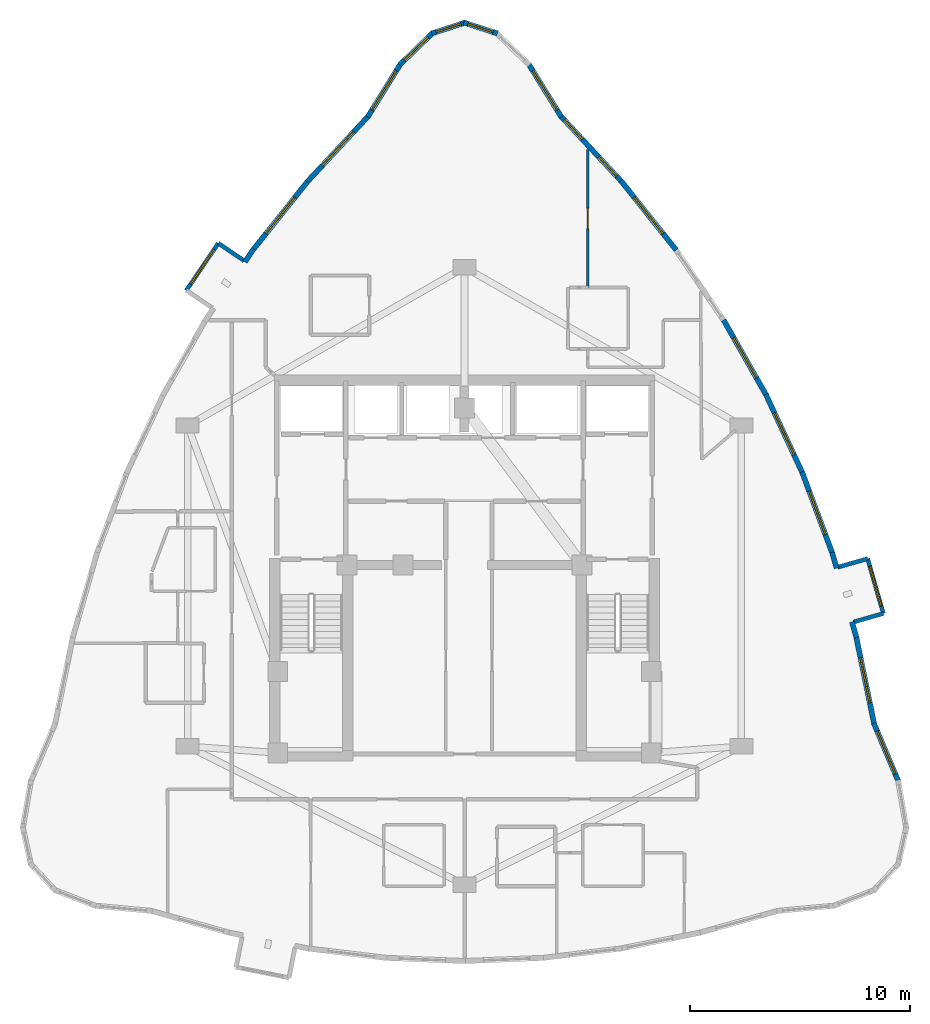
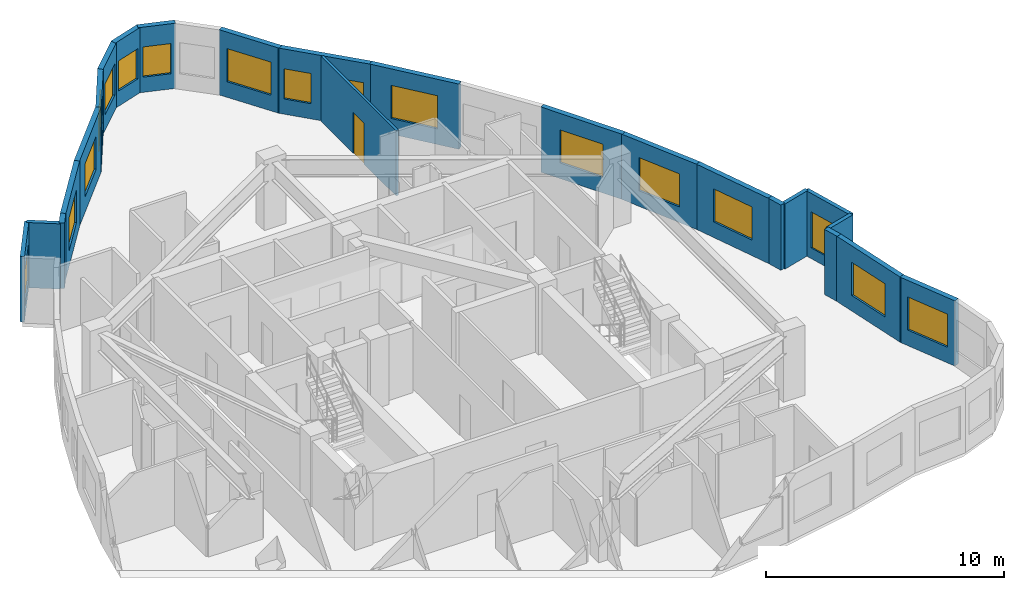
# One storey, part 11 of 13: 23 walls, 17 windows, 1 door, 18 openings.
"""IFC4 building model written with IfcOpenShell, lengths in metres."""

from ifc_helpers import new_model, si_unit, direction, frame, frame_2d, origin, place, context, subcontext, project, spatial, rectangle, extrude, material, layer, layer_set, type_object, element, fill, save


model = new_model("IFC4")

# Units and contexts
model_context = context("Model", 3, precision=1e-05, world=origin(), true_north=direction((0.0, 1.0)))
body_context = subcontext(model_context, "Body", "Model", "MODEL_VIEW")
ifc_project = project(units=[si_unit("LENGTHUNIT", "METRE"), si_unit("AREAUNIT", "SQUARE_METRE"), si_unit("VOLUMEUNIT", "CUBIC_METRE"), si_unit("PLANEANGLEUNIT", "RADIAN"), si_unit("MASSUNIT", "GRAM", prefix="KILO")], contexts=[model_context])

# Site, building, storey
site_placement = place(None, origin())
site = spatial("IfcSite", under=ifc_project, at=site_placement, CompositionType="ELEMENT")
building_placement = place(site_placement, origin())
building = spatial("IfcBuilding", under=site, at=building_placement, Name="Miruveldt Soraemaru", CompositionType="ELEMENT")
storey_placement = place(building_placement, frame((0.0, 0.0, 198.0)))
storey = spatial("IfcBuildingStorey", under=building, at=storey_placement, Name="L54", CompositionType="ELEMENT", Elevation=198.0)

# Wall
ifc_material_1 = material(Name="White powder-coated aluminium EN AW-6060 T6", Category="aluminium")
ifc_layer_1 = layer(ifc_material_1, 0.18994140625, Name="White powder-coated aluminium EN AW-6060 T6", Category="aluminium")
ifc_layer_set_1 = layer_set([ifc_layer_1], Name="White powder-coated aluminium EN AW-6060 T6")
wall_type_1 = type_object("IfcWallType", Name="WALL-BAY-ALU190", PredefinedType="SOLIDWALL", material=ifc_layer_set_1)
wall_1_placement = place(storey_placement, frame((33.971435546875, 57.900146484375, 0.0), z_axis=(0.0, 0.0, 1.0), x_axis=(-0.827916124573, 0.56085193293, 0.0)))
element("IfcWall", 1, at=wall_1_placement, inside=storey, type_object=wall_type_1, Name="L54 Bay Window Side Cheek 1L", PredefinedType="SOLIDWALL", context=body_context, shape_type="SweptSolid", body=[
    extrude(rectangle(XDim=1.42529296875, YDim=0.18994140625, at=frame_2d((0.712646484375, 0.0))), origin(), (0.0, 0.0, 1.0), 3.344970703125),
])

# Wall, opening, window
wall_2_placement = place(storey_placement, frame((32.79150390625, 58.699462890625, 0.0), z_axis=(0.0, 0.0, 1.0), x_axis=(-0.560839839126, -0.827924317102, 0.0)))
wall_2 = element("IfcWall", 2, at=wall_2_placement, inside=storey, type_object=wall_type_1, Name="L54 Bay Window Front Frame 1", PredefinedType="SOLIDWALL", context=body_context, shape_type="SweptSolid", body=[
    extrude(rectangle(XDim=2.599609375, YDim=0.18994140625, at=frame_2d((1.2998046875, 0.0))), origin(), (0.0, 0.0, 1.0), 3.344970703125),
])
opening_1_placement = place(wall_2_placement, frame((0.35009765625, 0.0, 0.550048828125)))
opening_1 = element("IfcOpeningElement", 3, at=opening_1_placement, cuts=wall_2, Name="Opening WN-6", PredefinedType="OPENING", context=body_context, shape_type="SweptSolid", body=[
    extrude(rectangle(XDim=1.89990234375, YDim=1.85009765625, at=frame_2d((0.949951171875, 0.925048828125))), frame((0.0, 0.10498046875, 0.0), z_axis=(0.0, -1.0, 0.0), x_axis=(1.0, 0.0, 0.0)), (0.0, 0.0, 1.0), 0.2099609375),
])
ifc_material_2 = material(Name="Triple low-e insulated glazing", Category="glass")
window_type_1 = type_object("IfcWindowType", Name="WIN-BAYW-1900x1850", PartitioningType="SINGLE_PANEL", PredefinedType="WINDOW", material=ifc_material_2)
window_1_placement = place(opening_1_placement, origin())
window_1 = element("IfcWindow", 4, at=window_1_placement, inside=storey, type_object=window_type_1, Name="L54 Projecting Bay Window 1", OverallHeight=1.85009765625, OverallWidth=1.89990234375, PartitioningType="SINGLE_PANEL", PredefinedType="WINDOW", context=body_context, shape_type="SweptSolid", body=[
    extrude(rectangle(XDim=1.89990234375, YDim=1.85009765625, at=frame_2d((0.949951171875, 0.925048828125))), frame((0.0, 0.030029296875, 0.0), z_axis=(0.0, -1.0, 0.0), x_axis=(1.0, 0.0, 0.0)), (0.0, 0.0, 1.0), 0.06005859375),
])
fill(opening_1, window_1)

# Walls
wall_3_placement = place(storey_placement, frame((61.69482421875, 41.451416015625, 0.0), z_axis=(0.0, 0.0, 1.0), x_axis=(0.961439844578, 0.275015318223, 0.0)))
element("IfcWall", 5, at=wall_3_placement, inside=storey, type_object=wall_type_1, Name="L54 Bay Window Side Cheek 3L", PredefinedType="SOLIDWALL", context=body_context, shape_type="SweptSolid", body=[
    extrude(rectangle(XDim=1.4248046875, YDim=0.18994140625, at=frame_2d((0.71240234375, 0.0))), origin(), (0.0, 0.0, 1.0), 3.344970703125),
])
wall_4_placement = place(storey_placement, frame((62.349853515625, 44.343017578125, 0.0), z_axis=(0.0, 0.0, 1.0), x_axis=(-0.961452801096, -0.274970018845, 0.0)))
element("IfcWall", 6, at=wall_4_placement, inside=storey, type_object=wall_type_1, Name="L54 Bay Window Side Cheek 3R", PredefinedType="SOLIDWALL", context=body_context, shape_type="SweptSolid", body=[
    extrude(rectangle(XDim=1.425048828125, YDim=0.18994140625, at=frame_2d((0.71240234375, 0.0))), origin(), (0.0, 0.0, 1.0), 3.344970703125),
])

# Wall, opening, window
wall_5_placement = place(storey_placement, frame((63.064697265625, 41.84326171875, 0.0), z_axis=(0.0, 0.0, 1.0), x_axis=(-0.274944358644, 0.961460139397, 0.0)))
wall_5 = element("IfcWall", 7, at=wall_5_placement, inside=storey, type_object=wall_type_1, Name="L54 Bay Window Front Frame 3", PredefinedType="SOLIDWALL", context=body_context, shape_type="SweptSolid", body=[
    extrude(rectangle(XDim=2.599853515625, YDim=0.18994140625, at=frame_2d((1.2998046875, 0.0))), origin(), (0.0, 0.0, 1.0), 3.344970703125),
])
opening_2_placement = place(wall_5_placement, frame((0.35009765625, 0.0, 0.550048828125)))
opening_2 = element("IfcOpeningElement", 8, at=opening_2_placement, cuts=wall_5, Name="Opening WN-6", PredefinedType="OPENING", context=body_context, shape_type="SweptSolid", body=[
    extrude(rectangle(XDim=1.89990234375, YDim=1.85009765625, at=frame_2d((0.949951171875, 0.925048828125))), frame((0.0, 0.10498046875, 0.0), z_axis=(0.0, -1.0, 0.0), x_axis=(1.0, 0.0, 0.0)), (0.0, 0.0, 1.0), 0.2099609375),
])
window_2_placement = place(opening_2_placement, origin())
window_2 = element("IfcWindow", 9, at=window_2_placement, inside=storey, type_object=window_type_1, Name="L54 Projecting Bay Window 3", OverallHeight=1.85009765625, OverallWidth=1.89990234375, PartitioningType="SINGLE_PANEL", PredefinedType="WINDOW", context=body_context, shape_type="SweptSolid", body=[
    extrude(rectangle(XDim=1.89990234375, YDim=1.85009765625, at=frame_2d((0.949951171875, 0.925048828125))), frame((0.0, 0.030029296875, 0.0), z_axis=(0.0, -1.0, 0.0), x_axis=(1.0, 0.0, 0.0)), (0.0, 0.0, 1.0), 0.06005859375),
])
fill(opening_2, window_2)

ifc_material_3 = material(Name="Precast concrete C45/55 (45 MPa)", Category="concrete")
ifc_layer_2 = layer(ifc_material_3, 0.239990234375, Name="Precast concrete C45/55 (45 MPa)", Category="concrete")
ifc_layer_set_2 = layer_set([ifc_layer_2], Name="Precast concrete C45/55 (45 MPa)")
wall_type_2 = type_object("IfcWallType", Name="WALL-EXT-PC240", PredefinedType="SOLIDWALL", material=ifc_layer_set_2)
wall_6_placement = place(storey_placement, frame((48.411376953125, 64.440185546875, 0.0), z_axis=(0.0, 0.0, 1.0), x_axis=(-0.526024676953, 0.850469305288, 0.0)))
wall_6 = element("IfcWall", 10, at=wall_6_placement, inside=storey, type_object=wall_type_2, Name="L54 Precast Concrete Facade Wall 1", PredefinedType="SOLIDWALL", context=body_context, shape_type="SweptSolid", body=[
    extrude(rectangle(XDim=2.853515625, YDim=0.239990234375, at=frame_2d((1.4267578125, 0.0))), origin(), (0.0, 0.0, 1.0), 3.344970703125),
])
opening_3_placement = place(wall_6_placement, frame((0.376953125, 0.0, 0.800048828125)))
opening_3 = element("IfcOpeningElement", 11, at=opening_3_placement, cuts=wall_6, Name="Opening WN-1", PredefinedType="OPENING", context=body_context, shape_type="SweptSolid", body=[
    extrude(rectangle(XDim=2.10009765625, YDim=1.699951171875, at=frame_2d((1.050048828125, 0.85009765625))), frame((0.0, 0.1298828125, 0.0), z_axis=(0.0, -1.0, 0.0), x_axis=(1.0, 0.0, 0.0)), (0.0, 0.0, 1.0), 0.260009765625),
])
window_type_2 = type_object("IfcWindowType", Name="WIN-PUNCH-2100x1700", PartitioningType="SINGLE_PANEL", PredefinedType="WINDOW", material=ifc_material_2)
window_3_placement = place(opening_3_placement, origin())
window_3 = element("IfcWindow", 12, at=window_3_placement, inside=storey, type_object=window_type_2, Name="L54 Punched Triple-Glazed Window 01.1", OverallHeight=1.699951171875, OverallWidth=2.10009765625, PartitioningType="SINGLE_PANEL", PredefinedType="WINDOW", context=body_context, shape_type="SweptSolid", body=[
    extrude(rectangle(XDim=2.10009765625, YDim=1.699951171875, at=frame_2d((1.050048828125, 0.85009765625))), frame((0.0, 0.030029296875, 0.0), z_axis=(0.0, -1.0, 0.0), x_axis=(1.0, 0.0, 0.0)), (0.0, 0.0, 1.0), 0.06005859375),
])
fill(opening_3, window_3)

wall_7_placement = place(storey_placement, frame((45.49755859375, 68.246826171875, 0.0), z_axis=(0.0, 0.0, 1.0), x_axis=(-0.951512470803, 0.307610171981, 0.0)))
wall_7 = element("IfcWall", 13, at=wall_7_placement, inside=storey, type_object=wall_type_2, Name="L54 Precast Concrete Facade Wall 3", PredefinedType="SOLIDWALL", context=body_context, shape_type="SweptSolid", body=[
    extrude(rectangle(XDim=1.60888671875, YDim=0.239990234375, at=frame_2d((0.804443359375, 0.0))), origin(), (0.0, 0.0, 1.0), 3.344970703125),
])
opening_4_placement = place(wall_7_placement, frame((0.205078125, 0.0, 0.780029296875)))
opening_4 = element("IfcOpeningElement", 14, at=opening_4_placement, cuts=wall_7, Name="Opening WN-4", PredefinedType="OPENING", context=body_context, shape_type="SweptSolid", body=[
    extrude(rectangle(XDim=1.199951171875, YDim=1.550048828125, at=frame_2d((0.60009765625, 0.77490234375))), frame((0.0, 0.1298828125, 0.0), z_axis=(0.0, -1.0, 0.0), x_axis=(1.0, 0.0, 0.0)), (0.0, 0.0, 1.0), 0.260009765625),
])
window_type_3 = type_object("IfcWindowType", Name="WIN-PUNCH-1200x1550", PartitioningType="SINGLE_PANEL", PredefinedType="WINDOW", material=ifc_material_2)
window_4_placement = place(opening_4_placement, origin())
window_4 = element("IfcWindow", 15, at=window_4_placement, inside=storey, type_object=window_type_3, Name="L54 Punched Triple-Glazed Window 03.1", OverallHeight=1.550048828125, OverallWidth=1.199951171875, PartitioningType="SINGLE_PANEL", PredefinedType="WINDOW", context=body_context, shape_type="SweptSolid", body=[
    extrude(rectangle(XDim=1.199951171875, YDim=1.550048828125, at=frame_2d((0.60009765625, 0.77490234375))), frame((0.0, 0.030029296875, 0.0), z_axis=(0.0, -1.0, 0.0), x_axis=(1.0, 0.0, 0.0)), (0.0, 0.0, 1.0), 0.06005859375),
])
fill(opening_4, window_4)

wall_8_placement = place(storey_placement, frame((44.033203125, 68.74169921875, 0.0), z_axis=(0.0, 0.0, 1.0), x_axis=(-0.951512470803, -0.307610171981, 0.0)))
wall_8 = element("IfcWall", 16, at=wall_8_placement, inside=storey, type_object=wall_type_2, Name="L54 Precast Concrete Facade Wall 4", PredefinedType="SOLIDWALL", context=body_context, shape_type="SweptSolid", body=[
    extrude(rectangle(XDim=1.60888671875, YDim=0.239990234375, at=frame_2d((0.804443359375, 0.0))), origin(), (0.0, 0.0, 1.0), 3.344970703125),
])
opening_5_placement = place(wall_8_placement, frame((0.205078125, 0.0, 0.780029296875)))
opening_5 = element("IfcOpeningElement", 17, at=opening_5_placement, cuts=wall_8, Name="Opening WN-4", PredefinedType="OPENING", context=body_context, shape_type="SweptSolid", body=[
    extrude(rectangle(XDim=1.199951171875, YDim=1.550048828125, at=frame_2d((0.60009765625, 0.77490234375))), frame((0.0, 0.1298828125, 0.0), z_axis=(0.0, -1.0, 0.0), x_axis=(1.0, 0.0, 0.0)), (0.0, 0.0, 1.0), 0.260009765625),
])
window_5_placement = place(opening_5_placement, origin())
window_5 = element("IfcWindow", 18, at=window_5_placement, inside=storey, type_object=window_type_3, Name="L54 Punched Triple-Glazed Window 04.1", OverallHeight=1.550048828125, OverallWidth=1.199951171875, PartitioningType="SINGLE_PANEL", PredefinedType="WINDOW", context=body_context, shape_type="SweptSolid", body=[
    extrude(rectangle(XDim=1.199951171875, YDim=1.550048828125, at=frame_2d((0.60009765625, 0.77490234375))), frame((0.0, 0.030029296875, 0.0), z_axis=(0.0, -1.0, 0.0), x_axis=(1.0, 0.0, 0.0)), (0.0, 0.0, 1.0), 0.06005859375),
])
fill(opening_5, window_5)

wall_9_placement = place(storey_placement, frame((42.560791015625, 68.281982421875, 0.0), z_axis=(0.0, 0.0, 1.0), x_axis=(-0.717784741211, -0.696265082626, 0.0)))
wall_9 = element("IfcWall", 19, at=wall_9_placement, inside=storey, type_object=wall_type_2, Name="L54 Precast Concrete Facade Wall 5", PredefinedType="SOLIDWALL", context=body_context, shape_type="SweptSolid", body=[
    extrude(rectangle(XDim=2.110107421875, YDim=0.239990234375, at=frame_2d((1.05517578125, 0.0))), origin(), (0.0, 0.0, 1.0), 3.344970703125),
])
opening_6_placement = place(wall_9_placement, frame((0.304931640625, 0.0, 0.800048828125)))
opening_6 = element("IfcOpeningElement", 20, at=opening_6_placement, cuts=wall_9, Name="Opening WN-3", PredefinedType="OPENING", context=body_context, shape_type="SweptSolid", body=[
    extrude(rectangle(XDim=1.5, YDim=1.60009765625, at=frame_2d((0.75, 0.800048828125))), frame((0.0, 0.1298828125, 0.0), z_axis=(0.0, -1.0, 0.0), x_axis=(1.0, 0.0, 0.0)), (0.0, 0.0, 1.0), 0.260009765625),
])
window_type_4 = type_object("IfcWindowType", Name="WIN-PUNCH-1500x1600", PartitioningType="SINGLE_PANEL", PredefinedType="WINDOW", material=ifc_material_2)
window_6_placement = place(opening_6_placement, origin())
window_6 = element("IfcWindow", 21, at=window_6_placement, inside=storey, type_object=window_type_4, Name="L54 Punched Triple-Glazed Window 05.1", OverallHeight=1.60009765625, OverallWidth=1.5, PartitioningType="SINGLE_PANEL", PredefinedType="WINDOW", context=body_context, shape_type="SweptSolid", body=[
    extrude(rectangle(XDim=1.5, YDim=1.60009765625, at=frame_2d((0.75, 0.800048828125))), frame((0.0, 0.030029296875, 0.0), z_axis=(0.0, -1.0, 0.0), x_axis=(1.0, 0.0, 0.0)), (0.0, 0.0, 1.0), 0.06005859375),
])
fill(opening_6, window_6)

wall_10_placement = place(storey_placement, frame((41.089599609375, 66.866943359375, 0.0), z_axis=(0.0, 0.0, 1.0), x_axis=(-0.526024676953, -0.850469305288, 0.0)))
wall_10 = element("IfcWall", 22, at=wall_10_placement, inside=storey, type_object=wall_type_2, Name="L54 Precast Concrete Facade Wall 6", PredefinedType="SOLIDWALL", context=body_context, shape_type="SweptSolid", body=[
    extrude(rectangle(XDim=2.853515625, YDim=0.239990234375, at=frame_2d((1.4267578125, 0.0))), origin(), (0.0, 0.0, 1.0), 3.344970703125),
])
opening_7_placement = place(wall_10_placement, frame((0.376953125, 0.0, 0.800048828125)))
opening_7 = element("IfcOpeningElement", 23, at=opening_7_placement, cuts=wall_10, Name="Opening WN-1", PredefinedType="OPENING", context=body_context, shape_type="SweptSolid", body=[
    extrude(rectangle(XDim=2.10009765625, YDim=1.699951171875, at=frame_2d((1.050048828125, 0.85009765625))), frame((0.0, 0.1298828125, 0.0), z_axis=(0.0, -1.0, 0.0), x_axis=(1.0, 0.0, 0.0)), (0.0, 0.0, 1.0), 0.260009765625),
])
window_7_placement = place(opening_7_placement, origin())
window_7 = element("IfcWindow", 24, at=window_7_placement, inside=storey, type_object=window_type_2, Name="L54 Punched Triple-Glazed Window 06.1", OverallHeight=1.699951171875, OverallWidth=2.10009765625, PartitioningType="SINGLE_PANEL", PredefinedType="WINDOW", context=body_context, shape_type="SweptSolid", body=[
    extrude(rectangle(XDim=2.10009765625, YDim=1.699951171875, at=frame_2d((1.050048828125, 0.85009765625))), frame((0.0, 0.030029296875, 0.0), z_axis=(0.0, -1.0, 0.0), x_axis=(1.0, 0.0, 0.0)), (0.0, 0.0, 1.0), 0.06005859375),
])
fill(opening_7, window_7)

wall_11_placement = place(storey_placement, frame((39.630859375, 64.49560546875, 0.0), z_axis=(0.0, 0.0, 1.0), x_axis=(-0.68089787868, -0.732378371341, 0.0)))
wall_11 = element("IfcWall", 25, at=wall_11_placement, inside=storey, type_object=wall_type_2, Name="L54 Precast Concrete Facade Wall 7", PredefinedType="SOLIDWALL", context=body_context, shape_type="SweptSolid", body=[
    extrude(rectangle(XDim=4.10693359375, YDim=0.239990234375, at=frame_2d((2.053466796875, 0.0))), origin(), (0.0, 0.0, 1.0), 3.344970703125),
])
opening_8_placement = place(wall_11_placement, frame((1.00390625, 0.0, 0.800048828125)))
opening_8 = element("IfcOpeningElement", 26, at=opening_8_placement, cuts=wall_11, Name="Opening WN-1", PredefinedType="OPENING", context=body_context, shape_type="SweptSolid", body=[
    extrude(rectangle(XDim=2.10009765625, YDim=1.699951171875, at=frame_2d((1.050048828125, 0.85009765625))), frame((0.0, 0.1298828125, 0.0), z_axis=(0.0, -1.0, 0.0), x_axis=(1.0, 0.0, 0.0)), (0.0, 0.0, 1.0), 0.260009765625),
])
window_8_placement = place(opening_8_placement, origin())
window_8 = element("IfcWindow", 27, at=window_8_placement, inside=storey, type_object=window_type_2, Name="L54 Punched Triple-Glazed Window 07.1", OverallHeight=1.699951171875, OverallWidth=2.10009765625, PartitioningType="SINGLE_PANEL", PredefinedType="WINDOW", context=body_context, shape_type="SweptSolid", body=[
    extrude(rectangle(XDim=2.10009765625, YDim=1.699951171875, at=frame_2d((1.050048828125, 0.85009765625))), frame((0.0, 0.030029296875, 0.0), z_axis=(0.0, -1.0, 0.0), x_axis=(1.0, 0.0, 0.0)), (0.0, 0.0, 1.0), 0.06005859375),
])
fill(opening_8, window_8)

wall_12_placement = place(storey_placement, frame((36.8798828125, 61.540771484375, 0.0), z_axis=(0.0, 0.0, 1.0), x_axis=(-0.623580098118, -0.781759465073, 0.0)))
wall_12 = element("IfcWall", 28, at=wall_12_placement, inside=storey, type_object=wall_type_2, Name="L54 Precast Concrete Facade Wall 8", PredefinedType="SOLIDWALL", context=body_context, shape_type="SweptSolid", body=[
    extrude(rectangle(XDim=4.03466796875, YDim=0.239990234375, at=frame_2d((2.017333984375, 0.0))), origin(), (0.0, 0.0, 1.0), 3.344970703125),
])
opening_9_placement = place(wall_12_placement, frame((0.968017578125, 0.0, 0.800048828125)))
opening_9 = element("IfcOpeningElement", 29, at=opening_9_placement, cuts=wall_12, Name="Opening WN-1", PredefinedType="OPENING", context=body_context, shape_type="SweptSolid", body=[
    extrude(rectangle(XDim=2.10009765625, YDim=1.699951171875, at=frame_2d((1.050048828125, 0.85009765625))), frame((0.0, 0.1298828125, 0.0), z_axis=(0.0, -1.0, 0.0), x_axis=(1.0, 0.0, 0.0)), (0.0, 0.0, 1.0), 0.260009765625),
])
window_9_placement = place(opening_9_placement, origin())
window_9 = element("IfcWindow", 30, at=window_9_placement, inside=storey, type_object=window_type_2, Name="L54 Punched Triple-Glazed Window 08.1", OverallHeight=1.699951171875, OverallWidth=2.10009765625, PartitioningType="SINGLE_PANEL", PredefinedType="WINDOW", context=body_context, shape_type="SweptSolid", body=[
    extrude(rectangle(XDim=2.10009765625, YDim=1.699951171875, at=frame_2d((1.050048828125, 0.85009765625))), frame((0.0, 0.030029296875, 0.0), z_axis=(0.0, -1.0, 0.0), x_axis=(1.0, 0.0, 0.0)), (0.0, 0.0, 1.0), 0.06005859375),
])
fill(opening_9, window_9)

# Wall
wall_13_placement = place(storey_placement, frame((34.405517578125, 58.443115234375, 0.0), z_axis=(0.0, 0.0, 1.0), x_axis=(-0.560840679223, -0.827923748016, 0.0)))
element("IfcWall", 31, at=wall_13_placement, inside=storey, type_object=wall_type_2, Name="L54 Precast Pier Wall 9A", PredefinedType="SOLIDWALL", context=body_context, shape_type="SweptSolid", body=[
    extrude(rectangle(XDim=0.72314453125, YDim=0.239990234375, at=frame_2d((0.361572265625, 0.0))), origin(), (0.0, 0.0, 1.0), 3.344970703125),
])

# Wall, opening, window
wall_14_placement = place(storey_placement, frame((63.755126953125, 34.18994140625, 0.0), z_axis=(0.0, 0.0, 1.0), x_axis=(-0.38865241966, 0.921384445654, 0.0)))
wall_14 = element("IfcWall", 32, at=wall_14_placement, inside=storey, type_object=wall_type_2, Name="L54 Precast Concrete Facade Wall 34", PredefinedType="SOLIDWALL", context=body_context, shape_type="SweptSolid", body=[
    extrude(rectangle(XDim=2.895751953125, YDim=0.239990234375, at=frame_2d((1.44775390625, 0.0))), origin(), (0.0, 0.0, 1.0), 3.344970703125),
])
opening_10_placement = place(wall_14_placement, frame((0.39794921875, 0.0, 0.800048828125)))
opening_10 = element("IfcOpeningElement", 33, at=opening_10_placement, cuts=wall_14, Name="Opening WN-1", PredefinedType="OPENING", context=body_context, shape_type="SweptSolid", body=[
    extrude(rectangle(XDim=2.10009765625, YDim=1.699951171875, at=frame_2d((1.050048828125, 0.85009765625))), frame((0.0, 0.1298828125, 0.0), z_axis=(0.0, -1.0, 0.0), x_axis=(1.0, 0.0, 0.0)), (0.0, 0.0, 1.0), 0.260009765625),
])
window_10_placement = place(opening_10_placement, origin())
window_10 = element("IfcWindow", 34, at=window_10_placement, inside=storey, type_object=window_type_2, Name="L54 Punched Triple-Glazed Window 34.1", OverallHeight=1.699951171875, OverallWidth=2.10009765625, PartitioningType="SINGLE_PANEL", PredefinedType="WINDOW", context=body_context, shape_type="SweptSolid", body=[
    extrude(rectangle(XDim=2.10009765625, YDim=1.699951171875, at=frame_2d((1.050048828125, 0.85009765625))), frame((0.0, 0.030029296875, 0.0), z_axis=(0.0, -1.0, 0.0), x_axis=(1.0, 0.0, 0.0)), (0.0, 0.0, 1.0), 0.06005859375),
])
fill(opening_10, window_10)

wall_15_placement = place(storey_placement, frame((62.650390625, 36.791748046875, 0.0), z_axis=(0.0, 0.0, 1.0), x_axis=(-0.2015657063, 0.979474995109, 0.0)))
wall_15 = element("IfcWall", 35, at=wall_15_placement, inside=storey, type_object=wall_type_2, Name="L54 Precast Concrete Facade Wall 35", PredefinedType="SOLIDWALL", context=body_context, shape_type="SweptSolid", body=[
    extrude(rectangle(XDim=4.107177734375, YDim=0.239990234375, at=frame_2d((2.0537109375, 0.0))), origin(), (0.0, 0.0, 1.0), 3.344970703125),
])
opening_11_placement = place(wall_15_placement, frame((1.00390625, 0.0, 0.800048828125)))
opening_11 = element("IfcOpeningElement", 36, at=opening_11_placement, cuts=wall_15, Name="Opening WN-1", PredefinedType="OPENING", context=body_context, shape_type="SweptSolid", body=[
    extrude(rectangle(XDim=2.10009765625, YDim=1.699951171875, at=frame_2d((1.050048828125, 0.85009765625))), frame((0.0, 0.1298828125, 0.0), z_axis=(0.0, -1.0, 0.0), x_axis=(1.0, 0.0, 0.0)), (0.0, 0.0, 1.0), 0.260009765625),
])
window_11_placement = place(opening_11_placement, origin())
window_11 = element("IfcWindow", 37, at=window_11_placement, inside=storey, type_object=window_type_2, Name="L54 Punched Triple-Glazed Window 35.1", OverallHeight=1.699951171875, OverallWidth=2.10009765625, PartitioningType="SINGLE_PANEL", PredefinedType="WINDOW", context=body_context, shape_type="SweptSolid", body=[
    extrude(rectangle(XDim=2.10009765625, YDim=1.699951171875, at=frame_2d((1.050048828125, 0.85009765625))), frame((0.0, 0.030029296875, 0.0), z_axis=(0.0, -1.0, 0.0), x_axis=(1.0, 0.0, 0.0)), (0.0, 0.0, 1.0), 0.06005859375),
])
fill(opening_11, window_11)

# Walls
for number, where, z_axis, x_axis, name in (
    (38, (61.839111328125, 40.74658203125, 0.0), (0.0, 0.0, 1.0), (-0.274764278182, 0.961511617941, 0.0), "L54 Precast Pier Wall 36A"),
    (39, (60.93505859375, 43.9072265625, 0.0), (0.0, 0.0, 1.0), (-0.274764278182, 0.961511617941, 0.0), "L54 Precast Pier Wall 36B"),
):
    element("IfcWall", number, at=place(storey_placement, frame(where, z_axis=z_axis, x_axis=x_axis)), inside=storey, type_object=wall_type_2, Name=name, PredefinedType="SOLIDWALL", context=body_context, shape_type="SweptSolid", body=[
        extrude(rectangle(XDim=0.747314453125, YDim=0.239990234375, at=frame_2d((0.37353515625, 0.0))), origin(), (0.0, 0.0, 1.0), 3.344970703125),
    ])

# Wall, opening, window
wall_16_placement = place(storey_placement, frame((60.75146484375, 44.55908203125, 0.0), z_axis=(0.0, 0.0, 1.0), x_axis=(-0.348967690972, 0.937134755869, 0.0)))
wall_16 = element("IfcWall", 40, at=wall_16_placement, inside=storey, type_object=wall_type_2, Name="L54 Precast Concrete Facade Wall 37", PredefinedType="SOLIDWALL", context=body_context, shape_type="SweptSolid", body=[
    extrude(rectangle(XDim=3.985595703125, YDim=0.239990234375, at=frame_2d((1.99267578125, 0.0))), origin(), (0.0, 0.0, 1.0), 3.344970703125),
])
opening_12_placement = place(wall_16_placement, frame((0.943115234375, 0.0, 0.800048828125)))
opening_12 = element("IfcOpeningElement", 41, at=opening_12_placement, cuts=wall_16, Name="Opening WN-1", PredefinedType="OPENING", context=body_context, shape_type="SweptSolid", body=[
    extrude(rectangle(XDim=2.10009765625, YDim=1.699951171875, at=frame_2d((1.050048828125, 0.85009765625))), frame((0.0, 0.1298828125, 0.0), z_axis=(0.0, -1.0, 0.0), x_axis=(1.0, 0.0, 0.0)), (0.0, 0.0, 1.0), 0.260009765625),
])
window_12_placement = place(opening_12_placement, origin())
window_12 = element("IfcWindow", 42, at=window_12_placement, inside=storey, type_object=window_type_2, Name="L54 Punched Triple-Glazed Window 37.1", OverallHeight=1.699951171875, OverallWidth=2.10009765625, PartitioningType="SINGLE_PANEL", PredefinedType="WINDOW", context=body_context, shape_type="SweptSolid", body=[
    extrude(rectangle(XDim=2.10009765625, YDim=1.699951171875, at=frame_2d((1.050048828125, 0.85009765625))), frame((0.0, 0.030029296875, 0.0), z_axis=(0.0, -1.0, 0.0), x_axis=(1.0, 0.0, 0.0)), (0.0, 0.0, 1.0), 0.06005859375),
])
fill(opening_12, window_12)

wall_17_placement = place(storey_placement, frame((59.387451171875, 48.2294921875, 0.0), z_axis=(0.0, 0.0, 1.0), x_axis=(-0.422311701836, 0.906450675157, 0.0)))
wall_17 = element("IfcWall", 43, at=wall_17_placement, inside=storey, type_object=wall_type_2, Name="L54 Precast Concrete Facade Wall 38", PredefinedType="SOLIDWALL", context=body_context, shape_type="SweptSolid", body=[
    extrude(rectangle(XDim=3.960693359375, YDim=0.239990234375, at=frame_2d((1.98046875, 0.0))), origin(), (0.0, 0.0, 1.0), 3.344970703125),
])
opening_13_placement = place(wall_17_placement, frame((0.930908203125, 0.0, 0.800048828125)))
opening_13 = element("IfcOpeningElement", 44, at=opening_13_placement, cuts=wall_17, Name="Opening WN-1", PredefinedType="OPENING", context=body_context, shape_type="SweptSolid", body=[
    extrude(rectangle(XDim=2.10009765625, YDim=1.699951171875, at=frame_2d((1.050048828125, 0.85009765625))), frame((0.0, 0.1298828125, 0.0), z_axis=(0.0, -1.0, 0.0), x_axis=(1.0, 0.0, 0.0)), (0.0, 0.0, 1.0), 0.260009765625),
])
window_13_placement = place(opening_13_placement, origin())
window_13 = element("IfcWindow", 45, at=window_13_placement, inside=storey, type_object=window_type_2, Name="L54 Punched Triple-Glazed Window 38.1", OverallHeight=1.699951171875, OverallWidth=2.10009765625, PartitioningType="SINGLE_PANEL", PredefinedType="WINDOW", context=body_context, shape_type="SweptSolid", body=[
    extrude(rectangle(XDim=2.10009765625, YDim=1.699951171875, at=frame_2d((1.050048828125, 0.85009765625))), frame((0.0, 0.030029296875, 0.0), z_axis=(0.0, -1.0, 0.0), x_axis=(1.0, 0.0, 0.0)), (0.0, 0.0, 1.0), 0.06005859375),
])
fill(opening_13, window_13)

wall_18_placement = place(storey_placement, frame((57.7470703125, 51.757568359375, 0.0), z_axis=(0.0, 0.0, 1.0), x_axis=(-0.493374910117, 0.869816761202, 0.0)))
wall_18 = element("IfcWall", 46, at=wall_18_placement, inside=storey, type_object=wall_type_2, Name="L54 Precast Concrete Facade Wall 39", PredefinedType="SOLIDWALL", context=body_context, shape_type="SweptSolid", body=[
    extrude(rectangle(XDim=3.960693359375, YDim=0.239990234375, at=frame_2d((1.98046875, 0.0))), origin(), (0.0, 0.0, 1.0), 3.344970703125),
])
opening_14_placement = place(wall_18_placement, frame((0.930908203125, 0.0, 0.800048828125)))
opening_14 = element("IfcOpeningElement", 47, at=opening_14_placement, cuts=wall_18, Name="Opening WN-1", PredefinedType="OPENING", context=body_context, shape_type="SweptSolid", body=[
    extrude(rectangle(XDim=2.10009765625, YDim=1.699951171875, at=frame_2d((1.050048828125, 0.85009765625))), frame((0.0, 0.1298828125, 0.0), z_axis=(0.0, -1.0, 0.0), x_axis=(1.0, 0.0, 0.0)), (0.0, 0.0, 1.0), 0.260009765625),
])
window_14_placement = place(opening_14_placement, origin())
window_14 = element("IfcWindow", 48, at=window_14_placement, inside=storey, type_object=window_type_2, Name="L54 Punched Triple-Glazed Window 39.1", OverallHeight=1.699951171875, OverallWidth=2.10009765625, PartitioningType="SINGLE_PANEL", PredefinedType="WINDOW", context=body_context, shape_type="SweptSolid", body=[
    extrude(rectangle(XDim=2.10009765625, YDim=1.699951171875, at=frame_2d((1.050048828125, 0.85009765625))), frame((0.0, 0.030029296875, 0.0), z_axis=(0.0, -1.0, 0.0), x_axis=(1.0, 0.0, 0.0)), (0.0, 0.0, 1.0), 0.06005859375),
])
fill(opening_14, window_14)

wall_19_placement = place(storey_placement, frame((53.635986328125, 58.38671875, 0.0), z_axis=(0.0, 0.0, 1.0), x_axis=(-0.623580098118, 0.781759465073, 0.0)))
wall_19 = element("IfcWall", 49, at=wall_19_placement, inside=storey, type_object=wall_type_2, Name="L54 Precast Concrete Facade Wall 41", PredefinedType="SOLIDWALL", context=body_context, shape_type="SweptSolid", body=[
    extrude(rectangle(XDim=4.03466796875, YDim=0.239990234375, at=frame_2d((2.017333984375, 0.0))), origin(), (0.0, 0.0, 1.0), 3.344970703125),
])
opening_15_placement = place(wall_19_placement, frame((0.968017578125, 0.0, 0.800048828125)))
opening_15 = element("IfcOpeningElement", 50, at=opening_15_placement, cuts=wall_19, Name="Opening WN-1", PredefinedType="OPENING", context=body_context, shape_type="SweptSolid", body=[
    extrude(rectangle(XDim=2.10009765625, YDim=1.699951171875, at=frame_2d((1.050048828125, 0.85009765625))), frame((0.0, 0.1298828125, 0.0), z_axis=(0.0, -1.0, 0.0), x_axis=(1.0, 0.0, 0.0)), (0.0, 0.0, 1.0), 0.260009765625),
])
window_15_placement = place(opening_15_placement, origin())
window_15 = element("IfcWindow", 51, at=window_15_placement, inside=storey, type_object=window_type_2, Name="L54 Punched Triple-Glazed Window 41.1", OverallHeight=1.699951171875, OverallWidth=2.10009765625, PartitioningType="SINGLE_PANEL", PredefinedType="WINDOW", context=body_context, shape_type="SweptSolid", body=[
    extrude(rectangle(XDim=2.10009765625, YDim=1.699951171875, at=frame_2d((1.050048828125, 0.85009765625))), frame((0.0, 0.030029296875, 0.0), z_axis=(0.0, -1.0, 0.0), x_axis=(1.0, 0.0, 0.0)), (0.0, 0.0, 1.0), 0.06005859375),
])
fill(opening_15, window_15)

# Wall, openings, windows
wall_20_placement = place(storey_placement, frame((51.16552734375, 61.48779296875, 0.0), z_axis=(0.0, 0.0, 1.0), x_axis=(-0.68089787868, 0.732378371341, 0.0)))
wall_20 = element("IfcWall", 52, at=wall_20_placement, inside=storey, type_object=wall_type_2, Name="L54 Precast Concrete Facade Wall 42", PredefinedType="SOLIDWALL", context=body_context, shape_type="SweptSolid", body=[
    extrude(rectangle(XDim=4.10693359375, YDim=0.239990234375, at=frame_2d((2.053466796875, 0.0))), origin(), (0.0, 0.0, 1.0), 3.344970703125),
])
opening_16_placement = place(wall_20_placement, frame((0.35498046875, 0.0, 0.780029296875)))
opening_16 = element("IfcOpeningElement", 53, at=opening_16_placement, cuts=wall_20, Name="Opening WN-4", PredefinedType="OPENING", context=body_context, shape_type="SweptSolid", body=[
    extrude(rectangle(XDim=1.199951171875, YDim=1.550048828125, at=frame_2d((0.60009765625, 0.77490234375))), frame((0.0, 0.1298828125, 0.0), z_axis=(0.0, -1.0, 0.0), x_axis=(1.0, 0.0, 0.0)), (0.0, 0.0, 1.0), 0.260009765625),
])
opening_17_placement = place(wall_20_placement, frame((2.64794921875, 0.0, 0.780029296875)))
opening_17 = element("IfcOpeningElement", 54, at=opening_17_placement, cuts=wall_20, Name="Opening WN-4", PredefinedType="OPENING", context=body_context, shape_type="SweptSolid", body=[
    extrude(rectangle(XDim=1.199951171875, YDim=1.550048828125, at=frame_2d((0.60009765625, 0.77490234375))), frame((0.0, 0.1298828125, 0.0), z_axis=(0.0, -1.0, 0.0), x_axis=(1.0, 0.0, 0.0)), (0.0, 0.0, 1.0), 0.260009765625),
])
window_16_placement = place(opening_16_placement, origin())
window_16 = element("IfcWindow", 55, at=window_16_placement, inside=storey, type_object=window_type_3, Name="L54 Punched Triple-Glazed Window 42.1", OverallHeight=1.550048828125, OverallWidth=1.199951171875, PartitioningType="SINGLE_PANEL", PredefinedType="WINDOW", context=body_context, shape_type="SweptSolid", body=[
    extrude(rectangle(XDim=1.199951171875, YDim=1.550048828125, at=frame_2d((0.60009765625, 0.77490234375))), frame((0.0, 0.030029296875, 0.0), z_axis=(0.0, -1.0, 0.0), x_axis=(1.0, 0.0, 0.0)), (0.0, 0.0, 1.0), 0.06005859375),
])
fill(opening_16, window_16)
window_17_placement = place(opening_17_placement, origin())
window_17 = element("IfcWindow", 56, at=window_17_placement, inside=storey, type_object=window_type_3, Name="L54 Punched Triple-Glazed Window 42.2", OverallHeight=1.550048828125, OverallWidth=1.199951171875, PartitioningType="SINGLE_PANEL", PredefinedType="WINDOW", context=body_context, shape_type="SweptSolid", body=[
    extrude(rectangle(XDim=1.199951171875, YDim=1.550048828125, at=frame_2d((0.60009765625, 0.77490234375))), frame((0.0, 0.030029296875, 0.0), z_axis=(0.0, -1.0, 0.0), x_axis=(1.0, 0.0, 0.0)), (0.0, 0.0, 1.0), 0.06005859375),
])
fill(opening_17, window_17)

# Wall, opening, door
ifc_material_4 = material(Name="Gypsum plasterboard lining", Category="gypsum")
ifc_layer_3 = layer(ifc_material_4, 0.1201171875, Name="Gypsum plasterboard lining", Category="gypsum")
ifc_layer_set_3 = layer_set([ifc_layer_3], Name="Gypsum plasterboard lining")
wall_type_3 = type_object("IfcWallType", Name="WALL-INT-P120", PredefinedType="PARTITIONING", material=ifc_layer_set_3)
wall_21_placement = place(storey_placement, frame((49.60302734375, 56.679931640625, 0.0), z_axis=(0.0, 0.0, 1.0), x_axis=(0.0, 1.0, 0.0)))
wall_21 = element("IfcWall", 57, at=wall_21_placement, inside=storey, type_object=wall_type_3, Name="L54 Partition Wall 20", PredefinedType="PARTITIONING", context=body_context, shape_type="SweptSolid", body=[
    extrude(rectangle(XDim=6.2900390625, YDim=0.1201171875, at=frame_2d((3.14501953125, 0.0))), origin(), (0.0, 0.0, 1.0), 3.344970703125),
])
opening_18_placement = place(wall_21_placement, frame((2.68505859375, 0.0, 0.0)))
opening_18 = element("IfcOpeningElement", 58, at=opening_18_placement, cuts=wall_21, Name="Opening D3A", PredefinedType="OPENING", context=body_context, shape_type="SweptSolid", body=[
    extrude(rectangle(XDim=0.919921875, YDim=2.10009765625, at=frame_2d((0.4599609375, 1.050048828125))), frame((0.0, 0.070068359375, 0.0), z_axis=(0.0, -1.0, 0.0), x_axis=(1.0, 0.0, 0.0)), (0.0, 0.0, 1.0), 0.14013671875),
])
ifc_material_5 = material(Name="Anodised aluminium EN AW-6063 T6", Category="aluminium")
door_type = type_object("IfcDoorType", Name="DOOR-INT-920", OperationType="NOTDEFINED", PredefinedType="DOOR", material=ifc_material_5)
door_placement = place(opening_18_placement, origin())
door = element("IfcDoor", 59, at=door_placement, inside=storey, type_object=door_type, Name="L54 Unit 5401 BD1 Door", OperationType="SINGLE_SWING_RIGHT", OverallHeight=2.10009765625, OverallWidth=0.919921875, PredefinedType="DOOR", context=body_context, shape_type="SweptSolid", body=[
    extrude(rectangle(XDim=0.919921875, YDim=2.10009765625, at=frame_2d((0.4599609375, 1.050048828125))), frame((0.0, 0.02490234375, 0.0), z_axis=(0.0, -1.0, 0.0), x_axis=(1.0, 0.0, 0.0)), (0.0, 0.0, 1.0), 0.050048828125),
])
fill(opening_18, door)

save(model, "model.ifc")
